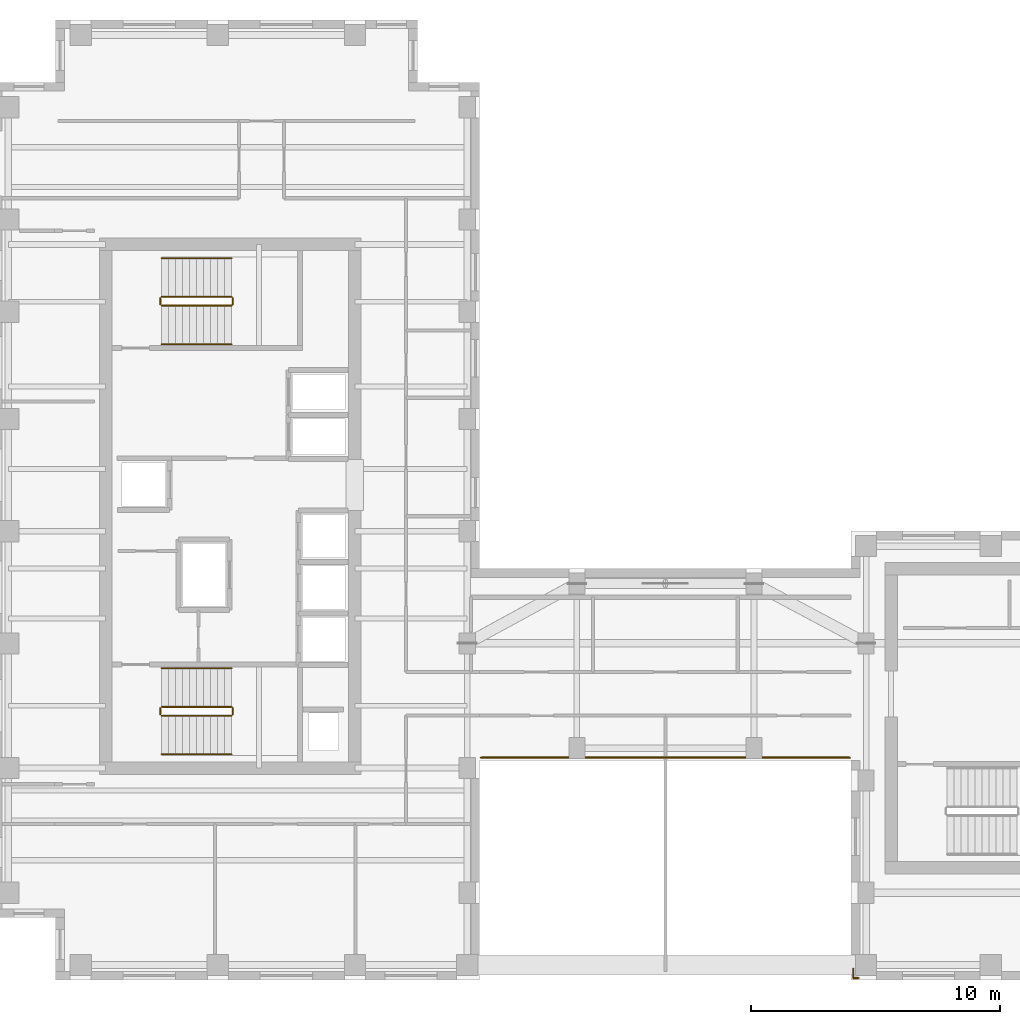
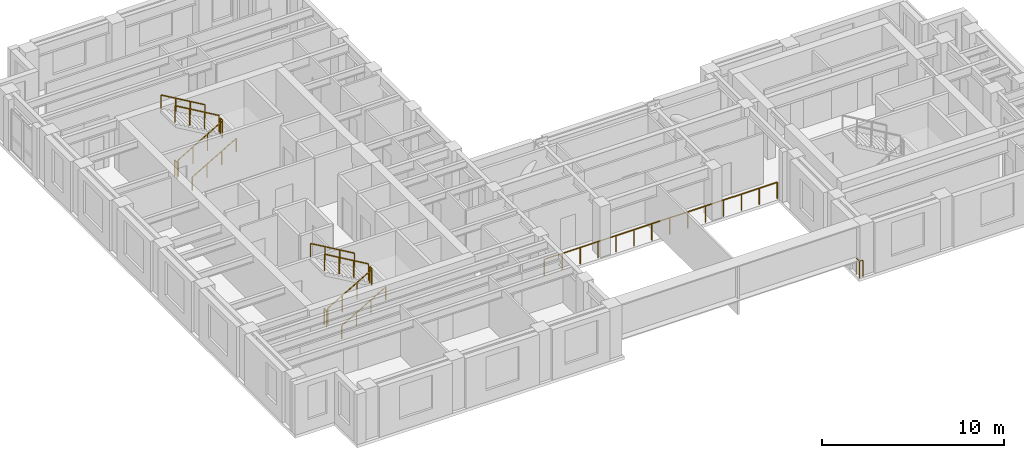
# One storey, part 11 of 12: 14 railings.
"""IFC4 building model written with IfcOpenShell, lengths in metres."""

import ifcopenshell
import ifcopenshell.guid

model = None  # the IFC model being written
_history = None  # IfcOwnerHistory: only IFC2X3 demands one
_inside = {}  # id of a spatial element -> (the spatial element, [elements in it])
_under = {}  # id of a project, library or spatial element -> (it, [spatial elements below it])
_declared = {}  # id of a project -> (the project, [libraries it declares])
_typed = {}  # id of a type object -> (the type object, [elements of that type])
_made_of = {}  # id of a material, layer set ... -> (it, [elements and type objects made of it])


def new_model(schema):
    """Start an empty IFC model of exactly this schema.

    Asked for "IFC4X3", IfcOpenShell would pick the latest addendum, in which some entities
    have other attributes; the version numbers below select the first issue.
    IFC2X3 requires an IfcOwnerHistory on every rooted entity: one is made here for all.
    """
    global model, _history
    if schema == "IFC4X3":
        model = ifcopenshell.file(schema_version=(4, 3, 0, 0))
    else:
        model = ifcopenshell.file(schema=schema)
    _inside.clear()
    _under.clear()
    _declared.clear()
    _typed.clear()
    _made_of.clear()
    _history = None
    if model.schema == "IFC2X3":
        org = make("IfcOrganization", Name="unknown")
        user = make(
            "IfcPersonAndOrganization",
            ThePerson=make("IfcPerson", FamilyName="unknown"),
            TheOrganization=org,
        )
        app = make(
            "IfcApplication",
            ApplicationDeveloper=org,
            Version="unknown",
            ApplicationFullName="unknown",
            ApplicationIdentifier="unknown",
        )
        _history = make(
            "IfcOwnerHistory",
            OwningUser=user,
            OwningApplication=app,
            ChangeAction="ADDED",
            CreationDate=0,
        )
    return model


def make(cls, **values):
    """One entity of the class cls with the attributes given. An attribute that is None is left unset."""
    return model.create_entity(
        cls, **{name: value for name, value in values.items() if value is not None}
    )


def rooted(cls, **values):
    """An entity with a GlobalId (a new one), such as an element, a storey or a relation."""
    return make(cls, GlobalId=ifcopenshell.guid.new(), OwnerHistory=_history, **values)


def si_unit(unit_type, name, prefix=None):
    """IfcSIUnit, for example si_unit("LENGTHUNIT", "METRE", prefix="MILLI")."""
    return make("IfcSIUnit", UnitType=unit_type, Prefix=prefix, Name=name)


def assignment(units):
    """IfcUnitAssignment: the units of a project."""
    return None if units is None else make("IfcUnitAssignment", Units=units)


def point(xyz):
    """IfcCartesianPoint."""
    return None if xyz is None else make("IfcCartesianPoint", Coordinates=xyz)


def direction(xyz):
    """IfcDirection."""
    return None if xyz is None else make("IfcDirection", DirectionRatios=xyz)


def frame(location, z_axis=None, x_axis=None):
    """IfcAxis2Placement3D, a coordinate frame: its origin and axes. An axis left out is left unset."""
    return make(
        "IfcAxis2Placement3D",
        Location=point(location),
        Axis=direction(z_axis),
        RefDirection=direction(x_axis),
    )


def frame_2d(location, x_axis=None):
    """IfcAxis2Placement2D, a coordinate frame in the plane: its origin and x axis."""
    return make(
        "IfcAxis2Placement2D", Location=point(location), RefDirection=direction(x_axis)
    )


def origin():
    """The frame at (0, 0, 0) with its axes left unset."""
    return frame((0.0, 0.0, 0.0))


def origin_2d():
    """The frame at (0, 0) in the plane with its x axis left unset."""
    return frame_2d((0.0, 0.0))


def place(relative_to, where):
    """IfcLocalPlacement: puts the frame where relative to a parent placement (None: the world)."""
    return make(
        "IfcLocalPlacement", PlacementRelTo=relative_to, RelativePlacement=where
    )


def context(
    kind, dimensions, precision=None, world=None, true_north=None, identifier=None
):
    """IfcGeometricRepresentationContext, for example the 3D "Model" context."""
    return make(
        "IfcGeometricRepresentationContext",
        ContextIdentifier=identifier,
        ContextType=kind,
        CoordinateSpaceDimension=dimensions,
        Precision=precision,
        WorldCoordinateSystem=world,
        TrueNorth=true_north,
    )


def subcontext(parent, identifier, kind, view, scale=None):
    """IfcGeometricRepresentationSubContext, for example "Body" below "Model"."""
    return make(
        "IfcGeometricRepresentationSubContext",
        ContextIdentifier=identifier,
        ContextType=kind,
        ParentContext=parent,
        TargetScale=scale,
        TargetView=view,
    )


def project(units=None, contexts=None):
    """IfcProject with its units and contexts."""
    return rooted(
        "IfcProject",
        Name="project",
        RepresentationContexts=contexts,
        UnitsInContext=assignment(units),
    )


def spatial(cls, under=None, at=None, **own):
    """A site, building, storey or space (cls), placed at a placement, below another one or the project."""
    s = rooted(cls, ObjectPlacement=at, **own)
    if under is not None:
        _under.setdefault(under.id(), (under, []))[1].append(s)
    return s


def profile(cls, at=None, kind="AREA", **sizes):
    """A parametric profile (cls). Its sizes go by their IFC names, for example OverallWidth=200.0."""
    return make(cls, ProfileType=kind, Position=at, **sizes)


def circle(**sizes):
    """IfcCircleProfileDef."""
    return profile("IfcCircleProfileDef", **sizes)


def extrude(swept, where, along, depth):
    """IfcExtrudedAreaSolid: the profile swept, set in the frame where, extruded along a direction by depth."""
    return make(
        "IfcExtrudedAreaSolid",
        SweptArea=swept,
        Position=where,
        ExtrudedDirection=direction(along),
        Depth=depth,
    )


def shape(context_of_items, identifier, shape_type, items):
    """IfcShapeRepresentation: the items that make up one representation, for example the "Body"."""
    return make(
        "IfcShapeRepresentation",
        ContextOfItems=context_of_items,
        RepresentationIdentifier=identifier,
        RepresentationType=shape_type,
        Items=items,
    )


def source(mapping_origin, context_of_items, identifier, shape_type, items):
    """IfcRepresentationMap: a shape defined once, which mapped items show again and again."""
    return make(
        "IfcRepresentationMap",
        MappingOrigin=mapping_origin,
        MappedRepresentation=shape(context_of_items, identifier, shape_type, items),
    )


def transform(
    local_origin,
    x_axis=None,
    y_axis=None,
    z_axis=None,
    scale=None,
    scale2=None,
    scale3=None,
    uniform=True,
):
    """IfcCartesianTransformationOperator3D, or its non-uniform kind. x_axis, y_axis, z_axis: its Axis1, 2, 3."""
    if uniform:
        return make(
            "IfcCartesianTransformationOperator3D",
            Axis1=direction(x_axis),
            Axis2=direction(y_axis),
            LocalOrigin=point(local_origin),
            Scale=scale,
            Axis3=direction(z_axis),
        )
    return make(
        "IfcCartesianTransformationOperator3DnonUniform",
        Axis1=direction(x_axis),
        Axis2=direction(y_axis),
        LocalOrigin=point(local_origin),
        Scale=scale,
        Axis3=direction(z_axis),
        Scale2=scale2,
        Scale3=scale3,
    )


def mapped(mapping_source, mapping_target):
    """IfcMappedItem: shows the shape of a source again, moved by a transform."""
    return make(
        "IfcMappedItem", MappingSource=mapping_source, MappingTarget=mapping_target
    )


def material(Name=None, Category=None):
    """IfcMaterial."""
    return make("IfcMaterial", Name=Name, Category=Category)


def layer(
    of_material, thickness, ventilated=None, Name=None, Category=None, Priority=None
):
    """IfcMaterialLayer: one layer of a wall or slab, of a material (None: an air gap)."""
    return make(
        "IfcMaterialLayer",
        Material=of_material,
        LayerThickness=thickness,
        IsVentilated=ventilated,
        Name=Name,
        Category=Category,
        Priority=Priority,
    )


def layer_set(layers, Name=None):
    """IfcMaterialLayerSet."""
    return make("IfcMaterialLayerSet", MaterialLayers=layers, LayerSetName=Name)


def made_of(thing, what):
    """Note that an element or type object is made of a material, layer set ...; save() writes the relation."""
    if what is not None:
        _made_of.setdefault(what.id(), (what, []))[1].append(thing)
    return thing


def type_object(cls, material=None, **own):
    """A type object (cls), such as IfcWallType, which elements share."""
    return made_of(rooted(cls, **own), material)


def element(
    cls,
    number,
    at=None,
    inside=None,
    cuts=None,
    type_object=None,
    material=None,
    context=None,
    identifier="Body",
    shape_type=None,
    held_by="IfcProductDefinitionShape",
    body=None,
    shapes=None,
    **own,
):
    """One element of the class cls, such as IfcWall. Its Tag is "e" and its number.

    at: its placement. inside: the storey or other place that contains it. cuts: it is an
    opening in that element (IfcRelVoidsElement). A single representation is given by context,
    identifier, shape_type and body (its items); several are given by shapes. held_by: the class
    of the entity that holds the representations. save() writes the other relations.
    """
    e = rooted(cls, Tag="e%d" % number, ObjectPlacement=at, **own)
    if body is not None:
        shapes = [shape(context, identifier, shape_type, body)]
    if shapes is not None:
        e.Representation = make(held_by, Representations=shapes)
    if inside is not None:
        _inside.setdefault(inside.id(), (inside, []))[1].append(e)
    if cuts is not None:
        rooted(
            "IfcRelVoidsElement", RelatingBuildingElement=cuts, RelatedOpeningElement=e
        )
    if type_object is not None:
        _typed.setdefault(type_object.id(), (type_object, []))[1].append(e)
    return made_of(e, material)


def aggregate(whole, parts):
    """IfcRelAggregates: a whole, such as a stair, and the parts it consists of."""
    return rooted("IfcRelAggregates", RelatingObject=whole, RelatedObjects=parts)


def save(model, path):
    """Write the relations noted so far, then the file.

    IfcRelAggregates (storeys below a building ...), IfcRelContainedInSpatialStructure (elements
    in a storey), IfcRelDefinesByType, IfcRelAssociatesMaterial and IfcRelDeclares: one each for
    every whole, place, type object, material and project.
    """
    for whole, parts in _under.values():
        aggregate(whole, parts)
    for where, things in _inside.values():
        rooted(
            "IfcRelContainedInSpatialStructure",
            RelatedElements=things,
            RelatingStructure=where,
        )
    for kind, things in _typed.values():
        rooted("IfcRelDefinesByType", RelatedObjects=things, RelatingType=kind)
    for what, things in _made_of.values():
        rooted("IfcRelAssociatesMaterial", RelatedObjects=things, RelatingMaterial=what)
    for by, libraries in _declared.values():
        rooted("IfcRelDeclares", RelatingContext=by, RelatedDefinitions=libraries)
    model.write(path)


model = new_model("IFC4")

# Units and contexts
model_context = context("Model", 3, precision=1e-05, world=origin(), true_north=direction((0.0, 1.0)))
body_context = subcontext(model_context, "Body", "Model", "MODEL_VIEW")
ifc_project = project(units=[si_unit("LENGTHUNIT", "METRE"), si_unit("AREAUNIT", "SQUARE_METRE"), si_unit("VOLUMEUNIT", "CUBIC_METRE"), si_unit("PLANEANGLEUNIT", "RADIAN"), si_unit("MASSUNIT", "GRAM", prefix="KILO")], contexts=[model_context])

# Site, building, storey
site_placement = place(None, origin())
site = spatial("IfcSite", under=ifc_project, at=site_placement, CompositionType="ELEMENT")
building_placement = place(site_placement, origin())
building = spatial("IfcBuilding", under=site, at=building_placement, Name="Kharzan Plaza Tower", CompositionType="ELEMENT")
storey_placement = place(building_placement, frame((0.0, 0.0, 248.39990234375)))
storey = spatial("IfcBuildingStorey", under=building, at=storey_placement, Name="L67", CompositionType="ELEMENT", Elevation=248.39990234375)

# Railings
ifc_material_1 = material(Name="Painted Galvanized Architectural Steel", Category="steel")
ifc_layer_1 = layer(ifc_material_1, 0.074951171875)
ifc_layer_set_1 = layer_set([ifc_layer_1], Name="Painted Galvanized Architectural Steel")
railing_type_1 = type_object("IfcRailingType", Name="RL-GUARD-1120", PredefinedType="BALUSTRADE", material=ifc_layer_set_1)
shared_shape_1 = source(origin(), body_context, "Body", "SweptSolid", [
    extrude(circle(Radius=0.02392578125, at=origin_2d()), frame((0.0, 0.0263671875, 1.09619140625), z_axis=(0.0, 1.0, 0.0), x_axis=(-1.0, 0.0, 0.0)), (0.0, 0.0, 1.0), 0.197021484375),
    extrude(circle(Radius=0.02099609375, at=origin_2d()), origin(), (0.0, 0.0, 1.0), 1.072021484375),
    extrude(circle(Radius=0.02099609375, at=origin_2d()), frame((0.0, 0.25, 0.0)), (0.0, 0.0, 1.0), 1.072021484375),
])
for number, where, name in (
    (1, (9.60009765625, 10.64990234375, 1.800048828125), "L67 ST-1 stair guard 2"),
    (2, (6.699951171875, 10.64990234375, 0.0), "L67 ST-1 stair guard 4"),
    (3, (9.60009765625, 27.10009765625, 1.800048828125), "L67 ST-2 stair guard 2"),
    (4, (6.699951171875, 27.10009765625, 0.0), "L67 ST-2 stair guard 4"),
):
    element("IfcRailing", number, at=place(storey_placement, frame(where)), inside=storey, type_object=railing_type_1, Name=name, PredefinedType="BALUSTRADE", context=body_context, shape_type="MappedRepresentation", body=[
        mapped(shared_shape_1, transform((0.0, 0.0, 0.0), x_axis=(1.0, 0.0, 0.0), y_axis=(0.0, 1.0, 0.0), z_axis=(0.0, 0.0, 1.0))),
    ])
shared_shape_2 = source(origin(), body_context, "Body", "SweptSolid", [
    extrude(circle(Radius=0.02392578125, at=origin_2d()), frame((-0.02294921875, 0.0, 1.109375), z_axis=(-0.863360870873, 0.0, 0.504586966384), x_axis=(0.0, -1.0, 0.0)), (0.0, 0.0, 1.0), 3.190185546875),
    extrude(circle(Radius=0.02099609375, at=origin_2d()), origin(), (0.0, 0.0, 1.0), 1.072021484375),
    extrude(circle(Radius=0.02099609375, at=origin_2d()), frame((-0.933349609375, 0.0, 0.54541015625)), (0.0, 0.0, 1.0), 1.072021484375),
    extrude(circle(Radius=0.02099609375, at=origin_2d()), frame((-1.86669921875, 0.0, 1.091064453125)), (0.0, 0.0, 1.0), 1.072021484375),
    extrude(circle(Radius=0.02099609375, at=origin_2d()), frame((-2.800048828125, 0.0, 1.636474609375)), (0.0, 0.0, 1.0), 1.072021484375),
])
for number, where, name in (
    (5, (9.550048828125, 10.949951171875, 1.963623046875), "L67 ST-1 stair guard 3"),
    (6, (9.550048828125, 27.39990234375, 1.963623046875), "L67 ST-2 stair guard 3"),
):
    element("IfcRailing", number, at=place(storey_placement, frame(where)), inside=storey, type_object=railing_type_1, Name=name, PredefinedType="BALUSTRADE", context=body_context, shape_type="MappedRepresentation", body=[
        mapped(shared_shape_2, transform((0.0, 0.0, 0.0), x_axis=(1.0, 0.0, 0.0), y_axis=(0.0, 1.0, 0.0), z_axis=(0.0, 0.0, 1.0))),
    ])
ifc_material_2 = material(Name="Brushed Stainless Steel", Category="steel")
ifc_layer_2 = layer(ifc_material_2, 0.050048828125)
ifc_layer_set_2 = layer_set([ifc_layer_2], Name="Brushed Stainless Steel")
railing_type_2 = type_object("IfcRailingType", Name="RL-STAIR-HR920", PredefinedType="HANDRAIL", material=ifc_layer_set_2)
shared_shape_3 = source(origin(), body_context, "Body", "SweptSolid", [
    extrude(circle(Radius=0.02392578125, at=origin_2d()), frame((-0.02294921875, 0.0, 0.88916015625), z_axis=(-0.863360870873, 0.0, 0.504586966384), x_axis=(0.0, -1.0, 0.0)), (0.0, 0.0, 1.0), 3.190185546875),
    extrude(circle(Radius=0.02099609375, at=origin_2d()), origin(), (0.0, 0.0, 1.0), 0.851806640625),
    extrude(circle(Radius=0.02099609375, at=origin_2d()), frame((-0.933349609375, 0.0, 0.54541015625)), (0.0, 0.0, 1.0), 0.851806640625),
    extrude(circle(Radius=0.02099609375, at=origin_2d()), frame((-1.86669921875, 0.0, 1.091064453125)), (0.0, 0.0, 1.0), 0.851806640625),
    extrude(circle(Radius=0.02099609375, at=origin_2d()), frame((-2.800048828125, 0.0, 1.636474609375)), (0.0, 0.0, 1.0), 0.851806640625),
])
for number, where, name in (
    (7, (9.550048828125, 12.5, 1.963623046875), "L67 ST-1 stair handrail 2"),
    (8, (9.550048828125, 28.949951171875, 1.963623046875), "L67 ST-2 stair handrail 2"),
):
    element("IfcRailing", number, at=place(storey_placement, frame(where)), inside=storey, type_object=railing_type_2, Name=name, PredefinedType="HANDRAIL", context=body_context, shape_type="MappedRepresentation", body=[
        mapped(shared_shape_3, transform((0.0, 0.0, 0.0), x_axis=(1.0, 0.0, 0.0), y_axis=(0.0, 1.0, 0.0), z_axis=(0.0, 0.0, 1.0))),
    ])
shared_shape_4 = source(origin(), body_context, "Body", "SweptSolid", [
    extrude(circle(Radius=0.02392578125, at=origin_2d()), frame((0.02294921875, 0.0, 1.109375), z_axis=(0.863393664356, 0.0, 0.504530851732), x_axis=(0.0, 1.0, 0.0)), (0.0, 0.0, 1.0), 3.190185546875),
    extrude(circle(Radius=0.02099609375, at=origin_2d()), origin(), (0.0, 0.0, 1.0), 1.072021484375),
    extrude(circle(Radius=0.02099609375, at=origin_2d()), frame((0.933349609375, 0.0, 0.54541015625)), (0.0, 0.0, 1.0), 1.072021484375),
    extrude(circle(Radius=0.02099609375, at=origin_2d()), frame((1.86669921875, 0.0, 1.0908203125)), (0.0, 0.0, 1.0), 1.072021484375),
    extrude(circle(Radius=0.02099609375, at=origin_2d()), frame((2.800048828125, 0.0, 1.63623046875)), (0.0, 0.0, 1.0), 1.072021484375),
])
for number, where, name in (
    (9, (6.75, 10.60009765625, 0.163818359375), "L67 ST-1 stair guard 1"),
    (10, (6.75, 27.050048828125, 0.163818359375), "L67 ST-2 stair guard 1"),
):
    element("IfcRailing", number, at=place(storey_placement, frame(where)), inside=storey, type_object=railing_type_1, Name=name, PredefinedType="BALUSTRADE", context=body_context, shape_type="MappedRepresentation", body=[
        mapped(shared_shape_4, transform((0.0, 0.0, 0.0), x_axis=(1.0, 0.0, 0.0), y_axis=(0.0, 1.0, 0.0), z_axis=(0.0, 0.0, 1.0))),
    ])
shared_shape_5 = source(origin(), body_context, "Body", "SweptSolid", [
    extrude(circle(Radius=0.02392578125, at=origin_2d()), frame((0.02294921875, 0.0, 0.88916015625), z_axis=(0.863393664356, 0.0, 0.504530851732), x_axis=(0.0, 1.0, 0.0)), (0.0, 0.0, 1.0), 3.190185546875),
    extrude(circle(Radius=0.02099609375, at=origin_2d()), origin(), (0.0, 0.0, 1.0), 0.851806640625),
    extrude(circle(Radius=0.02099609375, at=origin_2d()), frame((0.933349609375, 0.0, 0.54541015625)), (0.0, 0.0, 1.0), 0.851806640625),
    extrude(circle(Radius=0.02099609375, at=origin_2d()), frame((1.86669921875, 0.0, 1.0908203125)), (0.0, 0.0, 1.0), 0.851806640625),
    extrude(circle(Radius=0.02099609375, at=origin_2d()), frame((2.800048828125, 0.0, 1.63623046875)), (0.0, 0.0, 1.0), 0.851806640625),
])
for number, where, name in (
    (11, (6.75, 9.050048828125, 0.163818359375), "L67 ST-1 stair handrail 1"),
    (12, (6.75, 25.5, 0.163818359375), "L67 ST-2 stair handrail 1"),
):
    element("IfcRailing", number, at=place(storey_placement, frame(where)), inside=storey, type_object=railing_type_2, Name=name, PredefinedType="HANDRAIL", context=body_context, shape_type="MappedRepresentation", body=[
        mapped(shared_shape_5, transform((0.0, 0.0, 0.0), x_axis=(1.0, 0.0, 0.0), y_axis=(0.0, 1.0, 0.0), z_axis=(0.0, 0.0, 1.0))),
    ])
shared_shape_6 = source(origin(), body_context, "Body", "SweptSolid", [
    extrude(circle(Radius=0.02392578125, at=origin_2d()), frame((-0.0263671875, 0.0, 1.09619140625), z_axis=(-1.0, 0.0, 0.0), x_axis=(0.0, -1.0, 0.0)), (0.0, 0.0, 1.0), 0.1669921875),
    extrude(circle(Radius=0.02392578125, at=origin_2d()), frame((-0.219970703125, 0.0263671875, 1.09619140625), z_axis=(0.0, 1.0, 0.0), x_axis=(-1.0, 0.0, 0.0)), (0.0, 0.0, 1.0), 0.31689453125),
    extrude(circle(Radius=0.02099609375, at=origin_2d()), origin(), (0.0, 0.0, 1.0), 1.072021484375),
    extrude(circle(Radius=0.02099609375, at=origin_2d()), frame((-0.219970703125, 0.0, 0.0)), (0.0, 0.0, 1.0), 1.072021484375),
    extrude(circle(Radius=0.02099609375, at=origin_2d()), frame((-0.219970703125, 0.369873046875, 0.0)), (0.0, 0.0, 1.0), 1.072021484375),
])
railing_1_placement = place(storey_placement, frame((34.699951171875, 0.080078125, 0.0)))
element("IfcRailing", 13, at=railing_1_placement, inside=storey, type_object=railing_type_1, Name="L67 South-West Wing B Slot Corner Safety Guard", PredefinedType="BALUSTRADE", context=body_context, shape_type="MappedRepresentation", body=[
    mapped(shared_shape_6, transform((0.0, 0.0, 0.0), x_axis=(1.0, 0.0, 0.0), y_axis=(0.0, 1.0, 0.0), z_axis=(0.0, 0.0, 1.0))),
])
shared_shape_7 = source(origin(), body_context, "Body", "SweptSolid", [
    extrude(circle(Radius=0.02392578125, at=origin_2d()), frame((0.0263671875, 0.0, 1.09619140625), z_axis=(1.0, 0.0, 0.0), x_axis=(0.0, 1.0, 0.0)), (0.0, 0.0, 1.0), 14.7470703125),
    extrude(circle(Radius=0.02099609375, at=origin_2d()), origin(), (0.0, 0.0, 1.0), 1.072021484375),
    extrude(circle(Radius=0.02099609375, at=origin_2d()), frame((1.138427734375, 0.0, 0.0)), (0.0, 0.0, 1.0), 1.072021484375),
    extrude(circle(Radius=0.02099609375, at=origin_2d()), frame((2.27685546875, 0.0, 0.0)), (0.0, 0.0, 1.0), 1.072021484375),
    extrude(circle(Radius=0.02099609375, at=origin_2d()), frame((3.415283203125, 0.0, 0.0)), (0.0, 0.0, 1.0), 1.072021484375),
    extrude(circle(Radius=0.02099609375, at=origin_2d()), frame((4.553955078125, 0.0, 0.0)), (0.0, 0.0, 1.0), 1.072021484375),
    extrude(circle(Radius=0.02099609375, at=origin_2d()), frame((5.6923828125, 0.0, 0.0)), (0.0, 0.0, 1.0), 1.072021484375),
    extrude(circle(Radius=0.02099609375, at=origin_2d()), frame((6.830810546875, 0.0, 0.0)), (0.0, 0.0, 1.0), 1.072021484375),
    extrude(circle(Radius=0.02099609375, at=origin_2d()), frame((7.96923828125, 0.0, 0.0)), (0.0, 0.0, 1.0), 1.072021484375),
    extrude(circle(Radius=0.02099609375, at=origin_2d()), frame((9.107666015625, 0.0, 0.0)), (0.0, 0.0, 1.0), 1.072021484375),
    extrude(circle(Radius=0.02099609375, at=origin_2d()), frame((10.24609375, 0.0, 0.0)), (0.0, 0.0, 1.0), 1.072021484375),
    extrude(circle(Radius=0.02099609375, at=origin_2d()), frame((11.384765625, 0.0, 0.0)), (0.0, 0.0, 1.0), 1.072021484375),
    extrude(circle(Radius=0.02099609375, at=origin_2d()), frame((12.523193359375, 0.0, 0.0)), (0.0, 0.0, 1.0), 1.072021484375),
    extrude(circle(Radius=0.02099609375, at=origin_2d()), frame((13.66162109375, 0.0, 0.0)), (0.0, 0.0, 1.0), 1.072021484375),
    extrude(circle(Radius=0.02099609375, at=origin_2d()), frame((14.800048828125, 0.0, 0.0)), (0.0, 0.0, 1.0), 1.072021484375),
])
railing_2_placement = place(storey_placement, frame((19.550048828125, 8.919921875, 0.0)))
element("IfcRailing", 14, at=railing_2_placement, inside=storey, type_object=railing_type_1, Name="L67 Wind-Turbine Slot Portal Safety Guard", PredefinedType="BALUSTRADE", context=body_context, shape_type="MappedRepresentation", body=[
    mapped(shared_shape_7, transform((0.0, 0.0, 0.0), x_axis=(1.0, 0.0, 0.0), y_axis=(0.0, 1.0, 0.0), z_axis=(0.0, 0.0, 1.0))),
])

save(model, "model.ifc")
